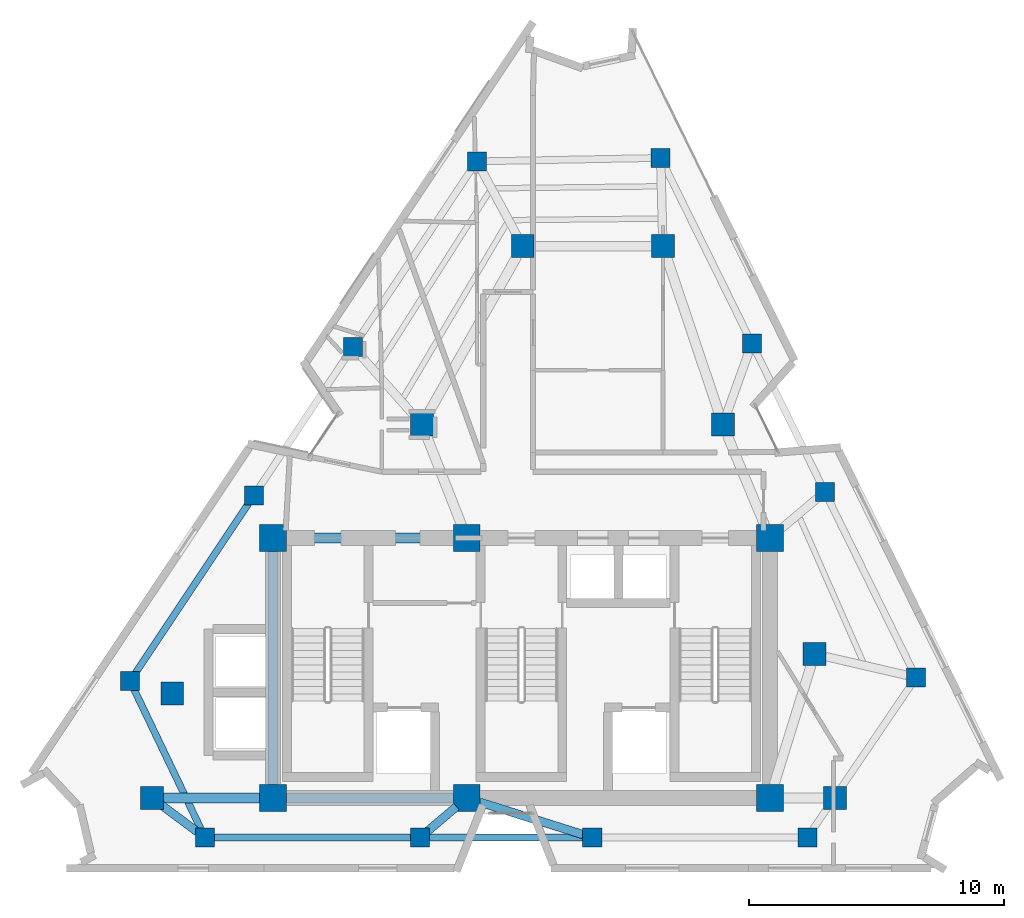
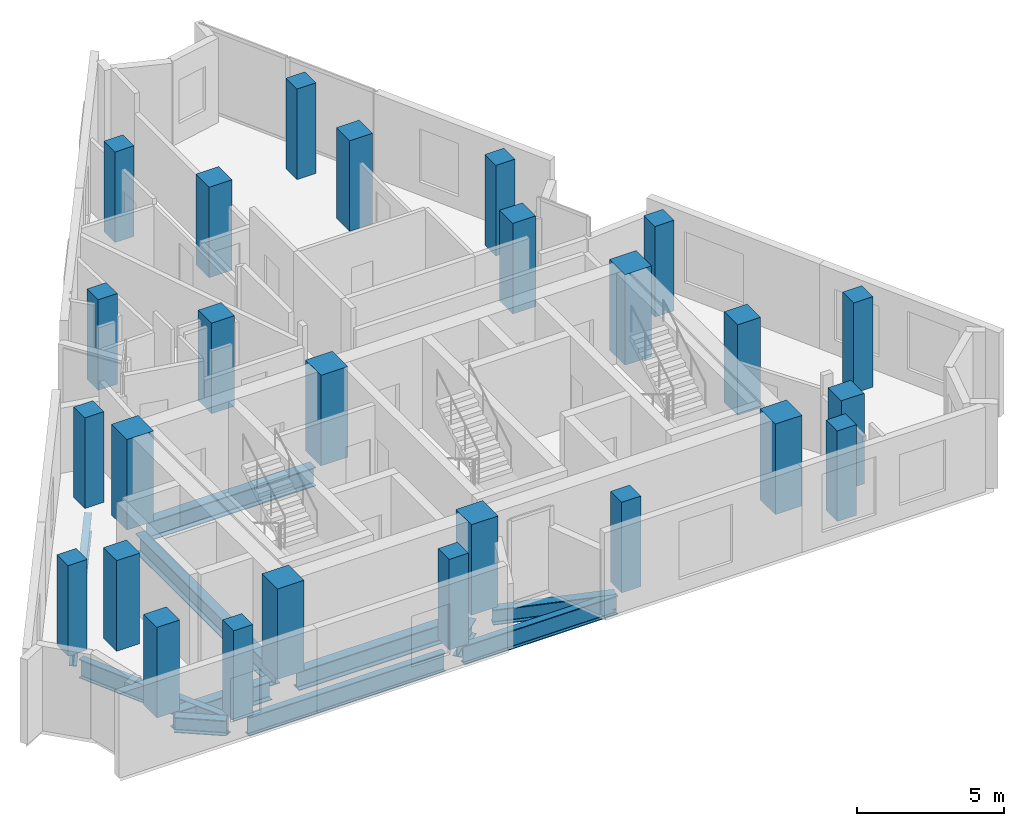
# One storey, part 1 of 10: 26 columns, 11 beams.
"""IFC4 building model written with IfcOpenShell, lengths in metres."""

from ifc_helpers import new_model, si_unit, direction, frame, origin, origin_2d, place, context, subcontext, project, spatial, rectangle, i_section, extrude, material, material_profile, profile_set, type_object, element, save


model = new_model("IFC4")

# Units and contexts
model_context = context("Model", 3, precision=1e-05, world=origin(), true_north=direction((0.0, 1.0)))
body_context = subcontext(model_context, "Body", "Model", "MODEL_VIEW")
ifc_project = project(units=[si_unit("LENGTHUNIT", "METRE"), si_unit("AREAUNIT", "SQUARE_METRE"), si_unit("VOLUMEUNIT", "CUBIC_METRE"), si_unit("PLANEANGLEUNIT", "RADIAN"), si_unit("MASSUNIT", "GRAM", prefix="KILO")], contexts=[model_context])

# Site, building, storey
site_placement = place(None, origin())
site = spatial("IfcSite", under=ifc_project, at=site_placement, CompositionType="ELEMENT")
building_placement = place(site_placement, origin())
building = spatial("IfcBuilding", under=site, at=building_placement, Name="Almagre Mirador Tower", CompositionType="ELEMENT")
storey_placement = place(building_placement, frame((0.0, 0.0, 278.25)))
storey = spatial("IfcBuildingStorey", under=building, at=storey_placement, Name="L72", CompositionType="ELEMENT", Elevation=278.25)

# Columns
ifc_material_1 = material(Name="Concrete C60/75", Category="concrete")
ifc_material_profile_1 = material_profile(ifc_material_1, rectangle(XDim=1.050048828125, YDim=1.050048828125, at=origin_2d()), Name="RC1050X1050")
ifc_profile_set_1 = profile_set([ifc_material_profile_1], Name="Concrete C60/75")
column_type_1 = type_object("IfcColumnType", Name="COL-RC1050", PredefinedType="COLUMN", material=ifc_profile_set_1)
for number, where, z_axis, x_axis, name in (
    (1, (27.550048828125, 4.550048828125, 0.0), (0.0, 0.0, 1.0), (1.0, 0.0, 0.0), "L72 core spine column CC1"),
    (2, (35.14990234375, 4.550048828125, 0.0), (0.0, 0.0, 1.0), (1.0, 0.0, 0.0), "L72 core spine column CC2"),
    (3, (47.050048828125, 4.550048828125, 0.0), (0.0, 0.0, 1.0), (1.0, 0.0, 0.0), "L72 core spine column CC3"),
    (4, (27.550048828125, 14.75, 0.0), (0.0, 0.0, 1.0), (1.0, 0.0, 0.0), "L72 core spine column CC4"),
    (5, (35.14990234375, 14.75, 0.0), (0.0, 0.0, 1.0), (1.0, 0.0, 0.0), "L72 core spine column CC5"),
    (6, (47.050048828125, 14.75, 0.0), (0.0, 0.0, 1.0), (1.0, 0.0, 0.0), "L72 core spine column CC6"),
):
    element("IfcColumn", number, at=place(storey_placement, frame(where, z_axis=z_axis, x_axis=x_axis)), inside=storey, type_object=column_type_1, Name=name, PredefinedType="COLUMN", context=body_context, shape_type="SweptSolid", body=[
        extrude(rectangle(XDim=1.050048828125, YDim=1.050048828125, at=origin_2d()), origin(), (0.0, 0.0, 1.0), 3.75),
    ])
ifc_material_2 = material(Name="Concrete C60/75", Category="concrete")
ifc_material_profile_2 = material_profile(ifc_material_2, rectangle(XDim=0.75, YDim=0.75, at=origin_2d()), Name="RC750X750")
ifc_profile_set_2 = profile_set([ifc_material_profile_2], Name="Concrete C60/75")
column_type_2 = type_object("IfcColumnType", Name="COL-RC750", PredefinedType="COLUMN", material=ifc_profile_set_2)
for number, where, z_axis, x_axis, name in (
    (7, (24.884033203125, 3.0, 0.0), (0.0, 0.0, 1.0), (1.0, 0.0, 0.0), "L72 perimeter column PC01"),
    (8, (33.323974609375, 3.0, 0.0), (0.0, 0.0, 1.0), (1.0, 0.0, 0.0), "L72 perimeter column PC02"),
    (9, (40.075927734375, 3.0, 0.0), (0.0, 0.0, 1.0), (1.0, 0.0, 0.0), "L72 perimeter column PC03"),
    (10, (48.51611328125, 3.0, 0.0), (0.0, 0.0, 1.0), (1.0, 0.0, 0.0), "L72 perimeter column PC04"),
    (11, (52.784912109375, 9.278076171875, 0.0), (0.0, 0.0, 1.0), (1.0, 0.0, 0.0), "L72 perimeter column PC05"),
    (12, (49.205078125, 16.55810546875, 0.0), (0.0, 0.0, 1.0), (1.0, 0.0, 0.0), "L72 perimeter column PC06"),
    (13, (46.341064453125, 22.382080078125, 0.0), (0.0, 0.0, 1.0), (1.0, 0.0, 0.0), "L72 perimeter column PC07"),
    (14, (42.760986328125, 29.662109375, 0.0), (0.0, 0.0, 1.0), (1.0, 0.0, 0.0), "L72 perimeter column PC08"),
    (15, (35.552001953125, 29.52587890625, 0.0), (0.0, 0.0, 1.0), (1.0, 0.0, 0.0), "L72 perimeter column PC09"),
    (16, (30.69189453125, 22.24609375, 0.0), (0.0, 0.0, 1.0), (1.0, 0.0, 0.0), "L72 perimeter column PC10"),
    (17, (26.803955078125, 16.422119140625, 0.0), (0.0, 0.0, 1.0), (1.0, 0.0, 0.0), "L72 perimeter column PC11"),
    (18, (21.944091796875, 9.14208984375, 0.0), (0.0, 0.0, 1.0), (1.0, 0.0, 0.0), "L72 perimeter column PC12"),
):
    element("IfcColumn", number, at=place(storey_placement, frame(where, z_axis=z_axis, x_axis=x_axis)), inside=storey, type_object=column_type_2, Name=name, PredefinedType="COLUMN", context=body_context, shape_type="SweptSolid", body=[
        extrude(rectangle(XDim=0.75, YDim=0.75, at=origin_2d()), origin(), (0.0, 0.0, 1.0), 3.75),
    ])
ifc_material_3 = material(Name="Concrete C60/75", Category="concrete")
ifc_material_profile_3 = material_profile(ifc_material_3, rectangle(XDim=0.89990234375, YDim=0.89990234375, at=origin_2d()), Name="RC900X900")
ifc_profile_set_3 = profile_set([ifc_material_profile_3], Name="Concrete C60/75")
column_type_3 = type_object("IfcColumnType", Name="COL-RC900", PredefinedType="COLUMN", material=ifc_profile_set_3)
for number, where, z_axis, x_axis, name in (
    (19, (22.800048828125, 4.550048828125, 0.0), (0.0, 0.0, 1.0), (1.0, 0.0, 0.0), "L72 interior transfer column MC1"),
    (20, (49.60009765625, 4.550048828125, 0.0), (0.0, 0.0, 1.0), (1.0, 0.0, 0.0), "L72 interior transfer column MC2"),
    (21, (48.800048828125, 10.199951171875, 0.0), (0.0, 0.0, 1.0), (1.0, 0.0, 0.0), "L72 interior transfer column MC3"),
    (22, (45.199951171875, 19.199951171875, 0.0), (0.0, 0.0, 1.0), (1.0, 0.0, 0.0), "L72 interior transfer column MC5"),
    (23, (42.85009765625, 26.199951171875, 0.0), (0.0, 0.0, 1.0), (1.0, 0.0, 0.0), "L72 interior transfer column MC6"),
    (24, (37.35009765625, 26.199951171875, 0.0), (0.0, 0.0, 1.0), (1.0, 0.0, 0.0), "L72 interior transfer column MC7"),
    (25, (33.39990234375, 19.199951171875, 0.0), (0.0, 0.0, 1.0), (1.0, 0.0, 0.0), "L72 interior transfer column MC8"),
    (26, (23.60009765625, 8.64990234375, 0.0), (0.0, 0.0, 1.0), (1.0, 0.0, 0.0), "L72 interior transfer column MC10"),
):
    element("IfcColumn", number, at=place(storey_placement, frame(where, z_axis=z_axis, x_axis=x_axis)), inside=storey, type_object=column_type_3, Name=name, PredefinedType="COLUMN", context=body_context, shape_type="SweptSolid", body=[
        extrude(rectangle(XDim=0.89990234375, YDim=0.89990234375, at=origin_2d()), origin(), (0.0, 0.0, 1.0), 3.75),
    ])

# Beams
ifc_material_4 = material(Name="Steel ASTM A992 Grade 50", Category="steel")
ifc_material_profile_4 = material_profile(ifc_material_4, i_section(OverallWidth=0.26708984375, OverallDepth=0.779052734375, WebThickness=0.0166015625, FlangeThickness=0.030029296875, FilletRadius=0.02392578125, at=origin_2d()), Name="W30X148")
ifc_profile_set_4 = profile_set([ifc_material_profile_4], Name="Steel ASTM A992 Grade 50")
beam_type_1 = type_object("IfcBeamType", Name="BM-SPN-W30X148", PredefinedType="SPANDREL", material=ifc_profile_set_4)
beam_1_placement = place(storey_placement, frame((25.259033203125, 3.0, -0.639404296875), z_axis=(1.0, 0.0, 0.0), x_axis=(0.0, 1.0, 0.0)))
element("IfcBeam", 27, at=beam_1_placement, inside=storey, type_object=beam_type_1, Name="L72 perimeter spandrel beam PC01-PC02", PredefinedType="SPANDREL", context=body_context, shape_type="SweptSolid", body=[
    extrude(i_section(OverallWidth=0.26708984375, OverallDepth=0.779052734375, WebThickness=0.0166015625, FlangeThickness=0.030029296875, FilletRadius=0.02392578125, at=origin_2d()), origin(), (0.0, 0.0, 1.0), 7.68994140625),
])
beam_2_placement = place(storey_placement, frame((33.698974609375, 3.0, -0.639404296875), z_axis=(1.0, 0.0, 0.0), x_axis=(0.0, 1.0, 0.0)))
element("IfcBeam", 28, at=beam_2_placement, inside=storey, type_object=beam_type_1, Name="L72 perimeter spandrel beam PC02-PC03", PredefinedType="SPANDREL", context=body_context, shape_type="SweptSolid", body=[
    extrude(i_section(OverallWidth=0.26708984375, OverallDepth=0.779052734375, WebThickness=0.0166015625, FlangeThickness=0.030029296875, FilletRadius=0.02392578125, at=origin_2d()), origin(), (0.0, 0.0, 1.0), 6.001953125),
])
beam_3_placement = place(storey_placement, frame((26.595703125, 16.110107421875, -0.639404296875), z_axis=(-0.555228061938, -0.831698141898, 0.0), x_axis=(0.831698141898, -0.555228061938, 0.0)))
element("IfcBeam", 29, at=beam_3_placement, inside=storey, type_object=beam_type_1, Name="L72 perimeter spandrel beam PC11-PC12", PredefinedType="SPANDREL", context=body_context, shape_type="SweptSolid", body=[
    extrude(i_section(OverallWidth=0.26708984375, OverallDepth=0.779052734375, WebThickness=0.0166015625, FlangeThickness=0.030029296875, FilletRadius=0.02392578125, at=origin_2d()), origin(), (0.0, 0.0, 1.0), 8.003173828125),
])
beam_4_placement = place(storey_placement, frame((22.10595703125, 8.8037109375, -0.639404296875), z_axis=(0.431756290683, -0.901990302307, 0.0), x_axis=(0.901990302307, 0.431756290683, 0.0)))
element("IfcBeam", 30, at=beam_4_placement, inside=storey, type_object=beam_type_1, Name="L72 perimeter spandrel beam PC12-PC01", PredefinedType="SPANDREL", context=body_context, shape_type="SweptSolid", body=[
    extrude(i_section(OverallWidth=0.26708984375, OverallDepth=0.779052734375, WebThickness=0.0166015625, FlangeThickness=0.030029296875, FilletRadius=0.02392578125, at=origin_2d()), origin(), (0.0, 0.0, 1.0), 6.0595703125),
])
ifc_material_5 = material(Name="Steel ASTM A992 Grade 50", Category="steel")
ifc_material_profile_5 = material_profile(ifc_material_5, i_section(OverallWidth=0.330078125, OverallDepth=0.635009765625, WebThickness=0.017822265625, FlangeThickness=0.031005859375, FilletRadius=0.02001953125, at=origin_2d()), Name="W24X162")
ifc_profile_set_5 = profile_set([ifc_material_profile_5], Name="Steel ASTM A992 Grade 50")
beam_type_2 = type_object("IfcBeamType", Name="BM-STL-W24X162", PredefinedType="BEAM", material=ifc_profile_set_5)
beam_5_placement = place(storey_placement, frame((24.5830078125, 3.223876953125, -0.5673828125), z_axis=(-0.802374373866, 0.596821048693, 0.0), x_axis=(-0.596821048693, -0.802374373866, 0.0)))
element("IfcBeam", 31, at=beam_5_placement, inside=storey, type_object=beam_type_2, Name="L72 radial floor girder PC01-MC1", PredefinedType="BEAM", context=body_context, shape_type="SweptSolid", body=[
    extrude(i_section(OverallWidth=0.330078125, OverallDepth=0.635009765625, WebThickness=0.017822265625, FlangeThickness=0.031005859375, FilletRadius=0.02001953125, at=origin_2d()), origin(), (0.0, 0.0, 1.0), 1.77197265625),
])
beam_6_placement = place(storey_placement, frame((33.60986328125, 3.24267578125, -0.5673828125), z_axis=(0.762394394192, 0.647112654569, 0.0), x_axis=(-0.647112654569, 0.762394394192, 0.0)))
element("IfcBeam", 32, at=beam_6_placement, inside=storey, type_object=beam_type_2, Name="L72 radial floor girder PC02-CC2", PredefinedType="BEAM", context=body_context, shape_type="SweptSolid", body=[
    extrude(i_section(OverallWidth=0.330078125, OverallDepth=0.635009765625, WebThickness=0.017822265625, FlangeThickness=0.031005859375, FilletRadius=0.02001953125, at=origin_2d()), origin(), (0.0, 0.0, 1.0), 1.4951171875),
])
beam_7_placement = place(storey_placement, frame((39.71826171875, 3.112548828125, -0.5673828125), z_axis=(-0.953895402065, 0.300139237553, 0.0), x_axis=(-0.300139237553, -0.953895402065, 0.0)))
element("IfcBeam", 33, at=beam_7_placement, inside=storey, type_object=beam_type_2, Name="L72 radial floor girder PC03-CC2", PredefinedType="BEAM", context=body_context, shape_type="SweptSolid", body=[
    extrude(i_section(OverallWidth=0.330078125, OverallDepth=0.635009765625, WebThickness=0.017822265625, FlangeThickness=0.031005859375, FilletRadius=0.02001953125, at=origin_2d()), origin(), (0.0, 0.0, 1.0), 4.263916015625),
])
ifc_material_6 = material(Name="Steel ASTM A992 Grade 50", Category="steel")
ifc_material_profile_6 = material_profile(ifc_material_6, i_section(OverallWidth=0.384033203125, OverallDepth=0.784912109375, WebThickness=0.019775390625, FlangeThickness=0.033447265625, FilletRadius=0.02392578125, at=origin_2d()), Name="W30X211")
ifc_profile_set_6 = profile_set([ifc_material_profile_6], Name="Steel ASTM A992 Grade 50")
beam_type_3 = type_object("IfcBeamType", Name="BM-STL-W30X211", PredefinedType="BEAM", material=ifc_profile_set_6)
for number, where, z_axis, x_axis, name in (
    (34, (28.074951171875, 4.550048828125, -0.642578125), (1.0, 0.0, 0.0), (0.0, 1.0, 0.0), "L72 core tie girder CC1-CC2"),
    (35, (28.074951171875, 14.75, -0.642578125), (1.0, 0.0, 0.0), (0.0, 1.0, 0.0), "L72 core tie girder CC4-CC5"),
):
    element("IfcBeam", number, at=place(storey_placement, frame(where, z_axis=z_axis, x_axis=x_axis)), inside=storey, type_object=beam_type_3, Name=name, PredefinedType="BEAM", context=body_context, shape_type="SweptSolid", body=[
        extrude(i_section(OverallWidth=0.384033203125, OverallDepth=0.784912109375, WebThickness=0.019775390625, FlangeThickness=0.033447265625, FilletRadius=0.02392578125, at=origin_2d()), origin(), (0.0, 0.0, 1.0), 6.550048828125),
    ])
beam_8_placement = place(storey_placement, frame((27.550048828125, 5.074951171875, -0.642578125), z_axis=(0.0, 1.0, 0.0), x_axis=(-1.0, 0.0, 0.0)))
element("IfcBeam", 36, at=beam_8_placement, inside=storey, type_object=beam_type_3, Name="L72 core tie girder CC1-CC4", PredefinedType="BEAM", context=body_context, shape_type="SweptSolid", body=[
    extrude(i_section(OverallWidth=0.384033203125, OverallDepth=0.784912109375, WebThickness=0.019775390625, FlangeThickness=0.033447265625, FilletRadius=0.02392578125, at=origin_2d()), origin(), (0.0, 0.0, 1.0), 9.150146484375),
])
beam_9_placement = place(storey_placement, frame((23.25, 4.550048828125, -0.642578125), z_axis=(1.0, 0.0, 0.0), x_axis=(0.0, 1.0, 0.0)))
element("IfcBeam", 37, at=beam_9_placement, inside=storey, type_object=beam_type_3, Name="L72 core tie girder MC1-CC1", PredefinedType="BEAM", context=body_context, shape_type="SweptSolid", body=[
    extrude(i_section(OverallWidth=0.384033203125, OverallDepth=0.784912109375, WebThickness=0.019775390625, FlangeThickness=0.033447265625, FilletRadius=0.02392578125, at=origin_2d()), origin(), (0.0, 0.0, 1.0), 3.77490234375),
])

save(model, "model.ifc")
